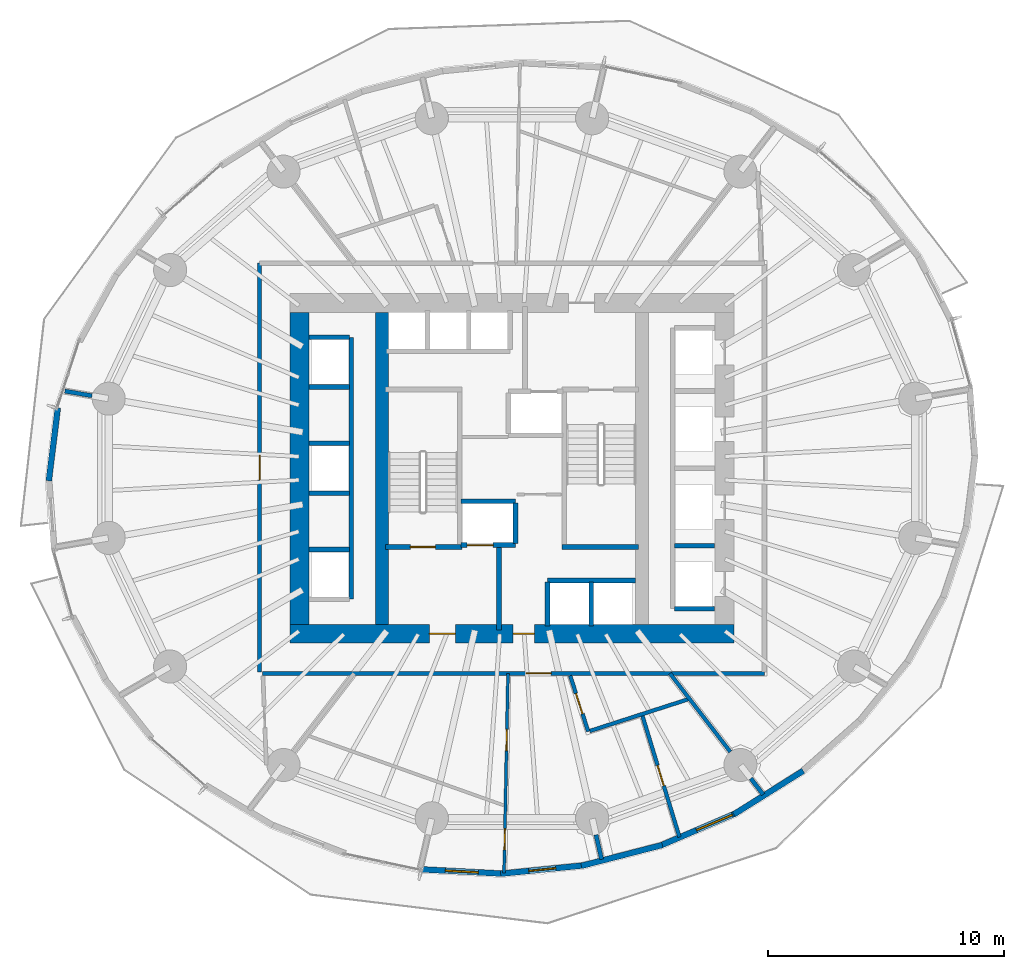
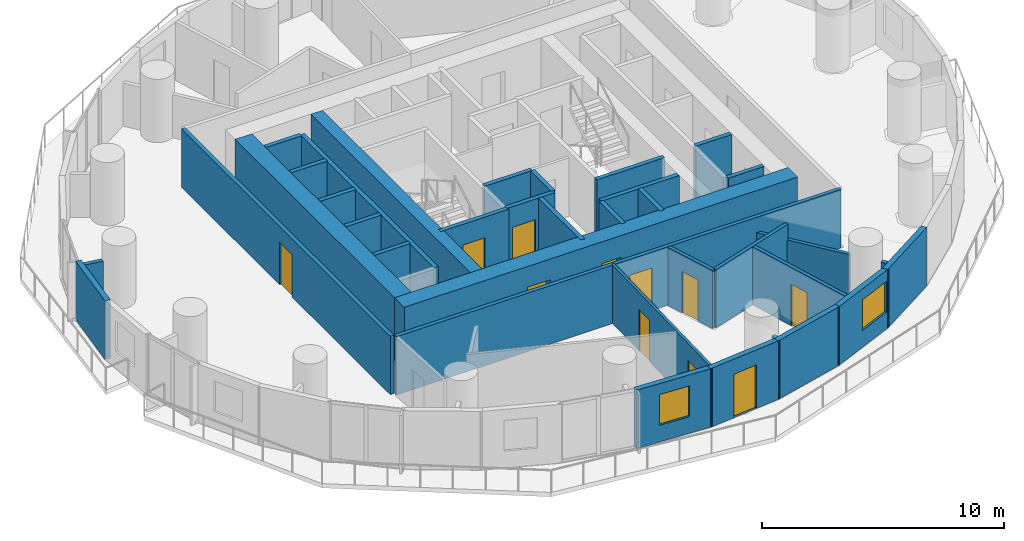
# One storey, part 7 of 13: 36 walls, 11 doors, 2 windows, 13 openings.
"""IFC4 building model written with IfcOpenShell, lengths in metres."""

import ifcopenshell
import ifcopenshell.guid

model = None  # the IFC model being written
_history = None  # IfcOwnerHistory: only IFC2X3 demands one
_inside = {}  # id of a spatial element -> (the spatial element, [elements in it])
_under = {}  # id of a project, library or spatial element -> (it, [spatial elements below it])
_declared = {}  # id of a project -> (the project, [libraries it declares])
_typed = {}  # id of a type object -> (the type object, [elements of that type])
_made_of = {}  # id of a material, layer set ... -> (it, [elements and type objects made of it])


def new_model(schema):
    """Start an empty IFC model of exactly this schema.

    Asked for "IFC4X3", IfcOpenShell would pick the latest addendum, in which some entities
    have other attributes; the version numbers below select the first issue.
    IFC2X3 requires an IfcOwnerHistory on every rooted entity: one is made here for all.
    """
    global model, _history
    if schema == "IFC4X3":
        model = ifcopenshell.file(schema_version=(4, 3, 0, 0))
    else:
        model = ifcopenshell.file(schema=schema)
    _inside.clear()
    _under.clear()
    _declared.clear()
    _typed.clear()
    _made_of.clear()
    _history = None
    if model.schema == "IFC2X3":
        org = make("IfcOrganization", Name="unknown")
        user = make(
            "IfcPersonAndOrganization",
            ThePerson=make("IfcPerson", FamilyName="unknown"),
            TheOrganization=org,
        )
        app = make(
            "IfcApplication",
            ApplicationDeveloper=org,
            Version="unknown",
            ApplicationFullName="unknown",
            ApplicationIdentifier="unknown",
        )
        _history = make(
            "IfcOwnerHistory",
            OwningUser=user,
            OwningApplication=app,
            ChangeAction="ADDED",
            CreationDate=0,
        )
    return model


def make(cls, **values):
    """One entity of the class cls with the attributes given. An attribute that is None is left unset."""
    return model.create_entity(
        cls, **{name: value for name, value in values.items() if value is not None}
    )


def rooted(cls, **values):
    """An entity with a GlobalId (a new one), such as an element, a storey or a relation."""
    return make(cls, GlobalId=ifcopenshell.guid.new(), OwnerHistory=_history, **values)


def si_unit(unit_type, name, prefix=None):
    """IfcSIUnit, for example si_unit("LENGTHUNIT", "METRE", prefix="MILLI")."""
    return make("IfcSIUnit", UnitType=unit_type, Prefix=prefix, Name=name)


def assignment(units):
    """IfcUnitAssignment: the units of a project."""
    return None if units is None else make("IfcUnitAssignment", Units=units)


def point(xyz):
    """IfcCartesianPoint."""
    return None if xyz is None else make("IfcCartesianPoint", Coordinates=xyz)


def direction(xyz):
    """IfcDirection."""
    return None if xyz is None else make("IfcDirection", DirectionRatios=xyz)


def frame(location, z_axis=None, x_axis=None):
    """IfcAxis2Placement3D, a coordinate frame: its origin and axes. An axis left out is left unset."""
    return make(
        "IfcAxis2Placement3D",
        Location=point(location),
        Axis=direction(z_axis),
        RefDirection=direction(x_axis),
    )


def frame_2d(location, x_axis=None):
    """IfcAxis2Placement2D, a coordinate frame in the plane: its origin and x axis."""
    return make(
        "IfcAxis2Placement2D", Location=point(location), RefDirection=direction(x_axis)
    )


def origin():
    """The frame at (0, 0, 0) with its axes left unset."""
    return frame((0.0, 0.0, 0.0))


def place(relative_to, where):
    """IfcLocalPlacement: puts the frame where relative to a parent placement (None: the world)."""
    return make(
        "IfcLocalPlacement", PlacementRelTo=relative_to, RelativePlacement=where
    )


def context(
    kind, dimensions, precision=None, world=None, true_north=None, identifier=None
):
    """IfcGeometricRepresentationContext, for example the 3D "Model" context."""
    return make(
        "IfcGeometricRepresentationContext",
        ContextIdentifier=identifier,
        ContextType=kind,
        CoordinateSpaceDimension=dimensions,
        Precision=precision,
        WorldCoordinateSystem=world,
        TrueNorth=true_north,
    )


def subcontext(parent, identifier, kind, view, scale=None):
    """IfcGeometricRepresentationSubContext, for example "Body" below "Model"."""
    return make(
        "IfcGeometricRepresentationSubContext",
        ContextIdentifier=identifier,
        ContextType=kind,
        ParentContext=parent,
        TargetScale=scale,
        TargetView=view,
    )


def project(units=None, contexts=None):
    """IfcProject with its units and contexts."""
    return rooted(
        "IfcProject",
        Name="project",
        RepresentationContexts=contexts,
        UnitsInContext=assignment(units),
    )


def spatial(cls, under=None, at=None, **own):
    """A site, building, storey or space (cls), placed at a placement, below another one or the project."""
    s = rooted(cls, ObjectPlacement=at, **own)
    if under is not None:
        _under.setdefault(under.id(), (under, []))[1].append(s)
    return s


def profile(cls, at=None, kind="AREA", **sizes):
    """A parametric profile (cls). Its sizes go by their IFC names, for example OverallWidth=200.0."""
    return make(cls, ProfileType=kind, Position=at, **sizes)


def rectangle(**sizes):
    """IfcRectangleProfileDef."""
    return profile("IfcRectangleProfileDef", **sizes)


def extrude(swept, where, along, depth):
    """IfcExtrudedAreaSolid: the profile swept, set in the frame where, extruded along a direction by depth."""
    return make(
        "IfcExtrudedAreaSolid",
        SweptArea=swept,
        Position=where,
        ExtrudedDirection=direction(along),
        Depth=depth,
    )


def shape(context_of_items, identifier, shape_type, items):
    """IfcShapeRepresentation: the items that make up one representation, for example the "Body"."""
    return make(
        "IfcShapeRepresentation",
        ContextOfItems=context_of_items,
        RepresentationIdentifier=identifier,
        RepresentationType=shape_type,
        Items=items,
    )


def material(Name=None, Category=None):
    """IfcMaterial."""
    return make("IfcMaterial", Name=Name, Category=Category)


def layer(
    of_material, thickness, ventilated=None, Name=None, Category=None, Priority=None
):
    """IfcMaterialLayer: one layer of a wall or slab, of a material (None: an air gap)."""
    return make(
        "IfcMaterialLayer",
        Material=of_material,
        LayerThickness=thickness,
        IsVentilated=ventilated,
        Name=Name,
        Category=Category,
        Priority=Priority,
    )


def layer_set(layers, Name=None):
    """IfcMaterialLayerSet."""
    return make("IfcMaterialLayerSet", MaterialLayers=layers, LayerSetName=Name)


def made_of(thing, what):
    """Note that an element or type object is made of a material, layer set ...; save() writes the relation."""
    if what is not None:
        _made_of.setdefault(what.id(), (what, []))[1].append(thing)
    return thing


def type_object(cls, material=None, **own):
    """A type object (cls), such as IfcWallType, which elements share."""
    return made_of(rooted(cls, **own), material)


def element(
    cls,
    number,
    at=None,
    inside=None,
    cuts=None,
    type_object=None,
    material=None,
    context=None,
    identifier="Body",
    shape_type=None,
    held_by="IfcProductDefinitionShape",
    body=None,
    shapes=None,
    **own,
):
    """One element of the class cls, such as IfcWall. Its Tag is "e" and its number.

    at: its placement. inside: the storey or other place that contains it. cuts: it is an
    opening in that element (IfcRelVoidsElement). A single representation is given by context,
    identifier, shape_type and body (its items); several are given by shapes. held_by: the class
    of the entity that holds the representations. save() writes the other relations.
    """
    e = rooted(cls, Tag="e%d" % number, ObjectPlacement=at, **own)
    if body is not None:
        shapes = [shape(context, identifier, shape_type, body)]
    if shapes is not None:
        e.Representation = make(held_by, Representations=shapes)
    if inside is not None:
        _inside.setdefault(inside.id(), (inside, []))[1].append(e)
    if cuts is not None:
        rooted(
            "IfcRelVoidsElement", RelatingBuildingElement=cuts, RelatedOpeningElement=e
        )
    if type_object is not None:
        _typed.setdefault(type_object.id(), (type_object, []))[1].append(e)
    return made_of(e, material)


def fill(opening, filler):
    """IfcRelFillsElement: the door or window that sits in an opening."""
    return rooted(
        "IfcRelFillsElement",
        RelatingOpeningElement=opening,
        RelatedBuildingElement=filler,
    )


def aggregate(whole, parts):
    """IfcRelAggregates: a whole, such as a stair, and the parts it consists of."""
    return rooted("IfcRelAggregates", RelatingObject=whole, RelatedObjects=parts)


def save(model, path):
    """Write the relations noted so far, then the file.

    IfcRelAggregates (storeys below a building ...), IfcRelContainedInSpatialStructure (elements
    in a storey), IfcRelDefinesByType, IfcRelAssociatesMaterial and IfcRelDeclares: one each for
    every whole, place, type object, material and project.
    """
    for whole, parts in _under.values():
        aggregate(whole, parts)
    for where, things in _inside.values():
        rooted(
            "IfcRelContainedInSpatialStructure",
            RelatedElements=things,
            RelatingStructure=where,
        )
    for kind, things in _typed.values():
        rooted("IfcRelDefinesByType", RelatedObjects=things, RelatingType=kind)
    for what, things in _made_of.values():
        rooted("IfcRelAssociatesMaterial", RelatedObjects=things, RelatingMaterial=what)
    for by, libraries in _declared.values():
        rooted("IfcRelDeclares", RelatingContext=by, RelatedDefinitions=libraries)
    model.write(path)


model = new_model("IFC4")

# Units and contexts
model_context = context("Model", 3, precision=1e-05, world=origin(), true_north=direction((0.0, 1.0)))
body_context = subcontext(model_context, "Body", "Model", "MODEL_VIEW")
ifc_project = project(units=[si_unit("LENGTHUNIT", "METRE"), si_unit("AREAUNIT", "SQUARE_METRE"), si_unit("VOLUMEUNIT", "CUBIC_METRE"), si_unit("PLANEANGLEUNIT", "RADIAN"), si_unit("MASSUNIT", "GRAM", prefix="KILO")], contexts=[model_context])

# Site, building, storey
site_placement = place(None, origin())
site = spatial("IfcSite", under=ifc_project, at=site_placement, CompositionType="ELEMENT")
building_placement = place(site_placement, origin())
building = spatial("IfcBuilding", under=site, at=building_placement, Name="Veldorim Arch Residences", CompositionType="ELEMENT")
storey_placement = place(building_placement, frame((0.0, 0.0, 47.199951171875)))
storey = spatial("IfcBuildingStorey", under=building, at=storey_placement, Name="L13", CompositionType="ELEMENT", Elevation=47.199951171875)

# Wall, openings, doors
ifc_material_1 = material(Name="Acoustic Gypsum Board", Category="gypsum")
ifc_layer_1 = layer(ifc_material_1, 0.125, Name="Acoustic Stud Room Partition Wall 125")
ifc_layer_set_1 = layer_set([ifc_layer_1], Name="Acoustic Gypsum Board")
wall_type_1 = type_object("IfcWallType", Name="Acoustic Stud Room Partition Wall 125", PredefinedType="PARTITIONING", material=ifc_layer_set_1)
wall_1_placement = place(storey_placement, frame((31.665283203125, 6.870361328125, 0.0), z_axis=(0.0, 0.0, 1.0), x_axis=(0.019528202577, 0.99980930647, 0.0)))
wall_1 = element("IfcWall", 1, at=wall_1_placement, inside=storey, type_object=wall_type_1, Name="L13 interior wall WL-RES-L13-008", PredefinedType="PARTITIONING", context=body_context, shape_type="SweptSolid", body=[
    extrude(rectangle(XDim=8.451416015625, YDim=0.125, at=frame_2d((4.2255859375, 0.0))), origin(), (0.0, 0.0, 1.0), 2.955078125),
])
opening_1_placement = place(wall_1_placement, frame((0.981201171875, 0.0, 0.0)))
opening_1 = element("IfcOpeningElement", 2, at=opening_1_placement, cuts=wall_1, Name="Opening DR-INT", PredefinedType="OPENING", context=body_context, shape_type="SweptSolid", body=[
    extrude(rectangle(XDim=0.89990234375, YDim=2.10009765625, at=frame_2d((0.449951171875, 1.050048828125))), frame((0.0, 0.072509765625, 0.0), z_axis=(0.0, -1.0, 0.0), x_axis=(1.0, 0.0, 0.0)), (0.0, 0.0, 1.0), 0.14501953125),
])
opening_2_placement = place(wall_1_placement, frame((5.186279296875, 0.0, 0.0)))
opening_2 = element("IfcOpeningElement", 3, at=opening_2_placement, cuts=wall_1, Name="Opening DR-INT", PredefinedType="OPENING", context=body_context, shape_type="SweptSolid", body=[
    extrude(rectangle(XDim=0.89990234375, YDim=2.10009765625, at=frame_2d((0.449951171875, 1.050048828125))), frame((0.0, 0.072509765625, 0.0), z_axis=(0.0, -1.0, 0.0), x_axis=(1.0, 0.0, 0.0)), (0.0, 0.0, 1.0), 0.14501953125),
])
ifc_material_2 = material(Name="Engineered Timber", Category="wood")
door_type_1 = type_object("IfcDoorType", Name="Apartment Internal Room Timber Door 900x2100", OperationType="SINGLE_SWING_LEFT", PredefinedType="DOOR", material=ifc_material_2)
door_1_placement = place(opening_1_placement, origin())
door_1 = element("IfcDoor", 4, at=door_1_placement, inside=storey, type_object=door_type_1, Name="L13 interior door DR-RES-L13-003", OperationType="SINGLE_SWING_LEFT", OverallHeight=2.10009765625, OverallWidth=0.89990234375, PredefinedType="DOOR", context=body_context, shape_type="SweptSolid", body=[
    extrude(rectangle(XDim=0.89990234375, YDim=2.10009765625, at=frame_2d((0.449951171875, 1.050048828125))), frame((0.0, 0.02490234375, 0.0), z_axis=(0.0, -1.0, 0.0), x_axis=(1.0, 0.0, 0.0)), (0.0, 0.0, 1.0), 0.050048828125),
])
fill(opening_1, door_1)
door_2_placement = place(opening_2_placement, origin())
door_2 = element("IfcDoor", 5, at=door_2_placement, inside=storey, type_object=door_type_1, Name="L13 interior door DR-RES-L13-004", OperationType="SINGLE_SWING_RIGHT", OverallHeight=2.10009765625, OverallWidth=0.89990234375, PredefinedType="DOOR", context=body_context, shape_type="SweptSolid", body=[
    extrude(rectangle(XDim=0.89990234375, YDim=2.10009765625, at=frame_2d((0.449951171875, 1.050048828125))), frame((0.0, 0.02490234375, 0.0), z_axis=(0.0, -1.0, 0.0), x_axis=(1.0, 0.0, 0.0)), (0.0, 0.0, 1.0), 0.050048828125),
])
fill(opening_2, door_2)

# Walls
ifc_material_3 = material(Name="Lightweight Masonry Block & Gypsum", Category="masonry")
ifc_layer_2 = layer(ifc_material_3, 0.179931640625, Name="Compartment & Corridor Fire-Rated Party Wall 180")
ifc_layer_set_2 = layer_set([ifc_layer_2], Name="Lightweight Masonry Block & Gypsum")
wall_type_2 = type_object("IfcWallType", Name="Compartment & Corridor Fire-Rated Party Wall 180", PredefinedType="PARTITIONING", material=ifc_layer_set_2)
wall_2_placement = place(storey_placement, frame((14.224853515625, 27.068359375, 0.0), z_axis=(0.0, 0.0, 1.0), x_axis=(-0.985428537387, 0.170089969436, 0.0)))
element("IfcWall", 6, at=wall_2_placement, inside=storey, type_object=wall_type_2, Name="L13 interior wall WL-PIER-L13-08", PredefinedType="PARTITIONING", context=body_context, shape_type="SweptSolid", body=[
    extrude(rectangle(XDim=1.1611328125, YDim=0.179931640625, at=frame_2d((0.58056640625, 0.0))), origin(), (0.0, 0.0, 1.0), 2.17822265625),
])
wall_3_placement = place(storey_placement, frame((35.555419921875, 8.48828125, 0.0), z_axis=(0.0, 0.0, 1.0), x_axis=(0.223348866575, -0.974738572028, 0.0)))
element("IfcWall", 7, at=wall_3_placement, inside=storey, type_object=wall_type_2, Name="L13 interior wall WL-PIER-L13-13", PredefinedType="PARTITIONING", context=body_context, shape_type="SweptSolid", body=[
    extrude(rectangle(XDim=1.0625, YDim=0.179931640625, at=frame_2d((0.53125, 0.0))), origin(), (0.0, 0.0, 1.0), 2.17822265625),
])
wall_4_placement = place(storey_placement, frame((42.106201171875, 10.874267578125, 0.0), z_axis=(0.0, 0.0, 1.0), x_axis=(0.610124026743, -0.792305920709, 0.0)))
element("IfcWall", 8, at=wall_4_placement, inside=storey, type_object=wall_type_2, Name="L13 interior wall WL-PIER-L13-14", PredefinedType="PARTITIONING", context=body_context, shape_type="SweptSolid", body=[
    extrude(rectangle(XDim=0.856201171875, YDim=0.179931640625, at=frame_2d((0.42822265625, 0.0))), origin(), (0.0, 0.0, 1.0), 2.17822265625),
])

# Wall, opening, door
wall_5_placement = place(storey_placement, frame((42.679931640625, 15.320068359375, 0.0), z_axis=(0.0, 0.0, 1.0), x_axis=(-1.0, 0.0, 0.0)))
wall_5 = element("IfcWall", 9, at=wall_5_placement, inside=storey, type_object=wall_type_2, Name="L13 interior wall WL-RES-L13-001", PredefinedType="PARTITIONING", context=body_context, shape_type="SweptSolid", body=[
    extrude(rectangle(XDim=21.23876953125, YDim=0.179931640625, at=frame_2d((10.619384765625, 0.0))), origin(), (0.0, 0.0, 1.0), 2.955078125),
])
opening_3_placement = place(wall_5_placement, frame((9.02294921875, 0.0, 0.0)))
opening_3 = element("IfcOpeningElement", 10, at=opening_3_placement, cuts=wall_5, Name="Opening DR-FLT", PredefinedType="OPENING", context=body_context, shape_type="SweptSolid", body=[
    extrude(rectangle(XDim=1.050048828125, YDim=2.14990234375, at=frame_2d((0.52490234375, 1.074951171875))), frame((0.0, 0.099853515625, 0.0), z_axis=(0.0, -1.0, 0.0), x_axis=(1.0, 0.0, 0.0)), (0.0, 0.0, 1.0), 0.199951171875),
])
ifc_material_4 = material(Name="Fire-Rated Timber", Category="wood")
door_type_2 = type_object("IfcDoorType", Name="Apartment Entrance Solid-Core Fire Door 1050x2150", OperationType="SINGLE_SWING_LEFT", PredefinedType="DOOR", material=ifc_material_4)
door_3_placement = place(opening_3_placement, origin())
door_3 = element("IfcDoor", 11, at=door_3_placement, inside=storey, type_object=door_type_2, Name="L13 interior door DR-RES-L13-001", OperationType="SINGLE_SWING_LEFT", OverallHeight=2.14990234375, OverallWidth=1.050048828125, PredefinedType="DOOR", context=body_context, shape_type="SweptSolid", body=[
    extrude(rectangle(XDim=1.050048828125, YDim=2.14990234375, at=frame_2d((0.52490234375, 1.074951171875))), frame((0.0, 0.02490234375, 0.0), z_axis=(0.0, -1.0, 0.0), x_axis=(1.0, 0.0, 0.0)), (0.0, 0.0, 1.0), 0.050048828125),
])
fill(opening_3, door_3)

wall_6_placement = place(storey_placement, frame((21.320068359375, 15.3798828125, 0.0), z_axis=(0.0, 0.0, 1.0), x_axis=(0.0, 1.0, 0.0)))
wall_6 = element("IfcWall", 12, at=wall_6_placement, inside=storey, type_object=wall_type_2, Name="L13 interior wall WL-RES-L13-006", PredefinedType="PARTITIONING", context=body_context, shape_type="SweptSolid", body=[
    extrude(rectangle(XDim=17.300048828125, YDim=0.179931640625, at=frame_2d((8.64990234375, 0.0))), origin(), (0.0, 0.0, 1.0), 2.955078125),
])
opening_4_placement = place(wall_6_placement, frame((8.125, 0.0, 0.0)))
opening_4 = element("IfcOpeningElement", 13, at=opening_4_placement, cuts=wall_6, Name="Opening DR-FLT", PredefinedType="OPENING", context=body_context, shape_type="SweptSolid", body=[
    extrude(rectangle(XDim=1.050048828125, YDim=2.14990234375, at=frame_2d((0.52490234375, 1.074951171875))), frame((0.0, 0.099853515625, 0.0), z_axis=(0.0, -1.0, 0.0), x_axis=(1.0, 0.0, 0.0)), (0.0, 0.0, 1.0), 0.199951171875),
])
door_4_placement = place(opening_4_placement, origin())
door_4 = element("IfcDoor", 14, at=door_4_placement, inside=storey, type_object=door_type_2, Name="L13 interior door DR-RES-L13-013", OperationType="SINGLE_SWING_LEFT", OverallHeight=2.14990234375, OverallWidth=1.050048828125, PredefinedType="DOOR", context=body_context, shape_type="SweptSolid", body=[
    extrude(rectangle(XDim=1.050048828125, YDim=2.14990234375, at=frame_2d((0.52490234375, 1.074951171875))), frame((0.0, 0.02490234375, 0.0), z_axis=(0.0, -1.0, 0.0), x_axis=(1.0, 0.0, 0.0)), (0.0, 0.0, 1.0), 0.050048828125),
])
fill(opening_4, door_4)

ifc_material_5 = material(Name="Concrete C50/60", Category="concrete")
ifc_layer_3 = layer(ifc_material_5, 0.199951171875, Name="Core Stair & Lift Shaft Enclosure Wall 200")
ifc_layer_set_3 = layer_set([ifc_layer_3], Name="Concrete C50/60")
wall_type_3 = type_object("IfcWallType", Name="Core Stair & Lift Shaft Enclosure Wall 200", PredefinedType="SHEAR", material=ifc_layer_set_3)
wall_7_placement = place(storey_placement, frame((26.64990234375, 20.669921875, 0.0), z_axis=(0.0, 0.0, 1.0), x_axis=(1.0, 0.0, 0.0)))
wall_7 = element("IfcWall", 15, at=wall_7_placement, inside=storey, type_object=wall_type_3, Name="L13 shaft wall WL-SHF-L13-ST1-S", PredefinedType="SHEAR", context=body_context, shape_type="SweptSolid", body=[
    extrude(rectangle(XDim=3.239990234375, YDim=0.199951171875, at=frame_2d((1.6201171875, 0.0))), origin(), (0.0, 0.0, 1.0), 3.199951171875),
])
opening_5_placement = place(wall_7_placement, frame((1.054931640625, 0.0, 0.0)))
opening_5 = element("IfcOpeningElement", 16, at=opening_5_placement, cuts=wall_7, Name="Opening DR-ST", PredefinedType="OPENING", context=body_context, shape_type="SweptSolid", body=[
    extrude(rectangle(XDim=1.050048828125, YDim=2.14990234375, at=frame_2d((0.52490234375, 1.074951171875))), frame((0.0, 0.10986328125, 0.0), z_axis=(0.0, -1.0, 0.0), x_axis=(1.0, 0.0, 0.0)), (0.0, 0.0, 1.0), 0.219970703125),
])
ifc_material_6 = material(Name="Fire-Rated Steel", Category="steel")
door_type_3 = type_object("IfcDoorType", Name="Exit Staircase Self-Closing Fire Door 1050x2150", OperationType="SINGLE_SWING_LEFT", PredefinedType="DOOR", material=ifc_material_6)
door_5_placement = place(opening_5_placement, origin())
door_5 = element("IfcDoor", 17, at=door_5_placement, inside=storey, type_object=door_type_3, Name="L13 interior door DR-L13-ST1", OperationType="SINGLE_SWING_LEFT", OverallHeight=2.14990234375, OverallWidth=1.050048828125, PredefinedType="DOOR", context=body_context, shape_type="SweptSolid", body=[
    extrude(rectangle(XDim=1.050048828125, YDim=2.14990234375, at=frame_2d((0.52490234375, 1.074951171875))), frame((0.0, 0.02490234375, 0.0), z_axis=(0.0, -1.0, 0.0), x_axis=(1.0, 0.0, 0.0)), (0.0, 0.0, 1.0), 0.050048828125),
])
fill(opening_5, door_5)

# Walls
wall_8_placement = place(storey_placement, frame((34.110107421875, 20.669921875, 0.0), z_axis=(0.0, 0.0, 1.0), x_axis=(1.0, 0.0, 0.0)))
element("IfcWall", 18, at=wall_8_placement, inside=storey, type_object=wall_type_3, Name="L13 shaft wall WL-SHF-L13-ST2-S", PredefinedType="SHEAR", context=body_context, shape_type="SweptSolid", body=[
    extrude(rectangle(XDim=3.239990234375, YDim=0.199951171875, at=frame_2d((1.6201171875, 0.0))), origin(), (0.0, 0.0, 1.0), 3.199951171875),
])
wall_9_placement = place(storey_placement, frame((31.449951171875, 17.14990234375, 0.0), z_axis=(0.0, 0.0, 1.0), x_axis=(0.0, 1.0, 0.0)))
element("IfcWall", 19, at=wall_9_placement, inside=storey, type_object=wall_type_3, Name="L13 shaft wall WL-FFL1-L13-E", PredefinedType="SHEAR", context=body_context, shape_type="SweptSolid", body=[
    extrude(rectangle(XDim=3.5, YDim=0.199951171875, at=frame_2d((1.75, 0.0))), origin(), (0.0, 0.0, 1.0), 3.199951171875),
])

# Wall, opening, door
wall_10_placement = place(storey_placement, frame((29.85009765625, 20.75, 0.0), z_axis=(0.0, 0.0, 1.0), x_axis=(1.0, 0.0, 0.0)))
wall_10 = element("IfcWall", 20, at=wall_10_placement, inside=storey, type_object=wall_type_3, Name="L13 shaft wall WL-FL01-L13-S", PredefinedType="SHEAR", context=body_context, shape_type="SweptSolid", body=[
    extrude(rectangle(XDim=2.2998046875, YDim=0.199951171875, at=frame_2d((1.14990234375, 0.0))), origin(), (0.0, 0.0, 1.0), 3.199951171875),
])
opening_6_placement = place(wall_10_placement, frame((0.25, 0.0, 0.0)))
opening_6 = element("IfcOpeningElement", 21, at=opening_6_placement, cuts=wall_10, Name="Opening LD-FF", PredefinedType="OPENING", context=body_context, shape_type="SweptSolid", body=[
    extrude(rectangle(XDim=1.10009765625, YDim=2.14990234375, at=frame_2d((0.550048828125, 1.074951171875))), frame((0.0, 0.10986328125, 0.0), z_axis=(0.0, -1.0, 0.0), x_axis=(1.0, 0.0, 0.0)), (0.0, 0.0, 1.0), 0.219970703125),
])
ifc_material_7 = material(Name="Stainless Steel", Category="steel")
door_type_4 = type_object("IfcDoorType", Name="Firefighting Lift Bi-Parting Sliding Landing Door 1100x2150", OperationType="DOUBLE_DOOR_SLIDING", PredefinedType="DOOR", material=ifc_material_7)
door_6_placement = place(opening_6_placement, origin())
door_6 = element("IfcDoor", 22, at=door_6_placement, inside=storey, type_object=door_type_4, Name="L13 lift landing door LD-L13-FL01", OperationType="DOUBLE_DOOR_SLIDING", OverallHeight=2.14990234375, OverallWidth=1.10009765625, PredefinedType="DOOR", context=body_context, shape_type="SweptSolid", body=[
    extrude(rectangle(XDim=1.10009765625, YDim=2.14990234375, at=frame_2d((0.550048828125, 1.074951171875))), frame((0.0, 0.02490234375, 0.0), z_axis=(0.0, -1.0, 0.0), x_axis=(1.0, 0.0, 0.0)), (0.0, 0.0, 1.0), 0.050048828125),
])
fill(opening_6, door_6)

# Walls
wall_11_placement = place(storey_placement, frame((29.85009765625, 22.60009765625, 0.0), z_axis=(0.0, 0.0, 1.0), x_axis=(1.0, 0.0, 0.0)))
element("IfcWall", 23, at=wall_11_placement, inside=storey, type_object=wall_type_3, Name="L13 shaft wall WL-FL01-L13-N", PredefinedType="SHEAR", context=body_context, shape_type="SweptSolid", body=[
    extrude(rectangle(XDim=2.2998046875, YDim=0.199951171875, at=frame_2d((1.14990234375, 0.0))), origin(), (0.0, 0.0, 1.0), 3.199951171875),
])
for number, where, z_axis, x_axis, name in (
    (24, (32.14990234375, 20.820068359375, 0.0), (0.0, 0.0, 1.0), (0.0, 1.0, 0.0), "L13 shaft wall WL-FL01-L13-E"),
    (25, (38.8701171875, 18.06005859375, 0.0), (0.0, 0.0, 1.0), (1.0, 0.0, 0.0), "L13 shaft wall WL-B1-L13-S"),
    (26, (38.8701171875, 20.72509765625, 0.0), (0.0, 0.0, 1.0), (1.0, 0.0, 0.0), "L13 shaft wall WL-B1-L13-D1"),
):
    element("IfcWall", number, at=place(storey_placement, frame(where, z_axis=z_axis, x_axis=x_axis)), inside=storey, type_object=wall_type_3, Name=name, PredefinedType="SHEAR", context=body_context, shape_type="SweptSolid", body=[
        extrude(rectangle(XDim=1.7099609375, YDim=0.199951171875, at=frame_2d((0.85498046875, 0.0))), origin(), (0.0, 0.0, 1.0), 3.199951171875),
    ])
wall_12_placement = place(storey_placement, frame((25.199951171875, 18.4599609375, 0.0), z_axis=(0.0, 0.0, 1.0), x_axis=(0.0, 1.0, 0.0)))
element("IfcWall", 27, at=wall_12_placement, inside=storey, type_object=wall_type_3, Name="L13 shaft wall WL-B2-L13-E", PredefinedType="SHEAR", context=body_context, shape_type="SweptSolid", body=[
    extrude(rectangle(XDim=11.080078125, YDim=0.199951171875, at=frame_2d((5.5400390625, 0.0))), origin(), (0.0, 0.0, 1.0), 3.199951171875),
])
for number, where, z_axis, x_axis, name in (
    (28, (23.419921875, 29.5400390625, 0.0), (0.0, 0.0, 1.0), (1.0, 0.0, 0.0), "L13 shaft wall WL-B2-L13-N"),
    (29, (23.419921875, 20.56005859375, 0.0), (0.0, 0.0, 1.0), (1.0, 0.0, 0.0), "L13 shaft wall WL-B2-L13-D1A"),
    (30, (23.419921875, 22.93994140625, 0.0), (0.0, 0.0, 1.0), (1.0, 0.0, 0.0), "L13 shaft wall WL-B2-L13-D1B"),
    (31, (23.419921875, 25.06005859375, 0.0), (0.0, 0.0, 1.0), (1.0, 0.0, 0.0), "L13 shaft wall WL-B2-L13-D2A"),
    (32, (23.419921875, 27.43994140625, 0.0), (0.0, 0.0, 1.0), (1.0, 0.0, 0.0), "L13 shaft wall WL-B2-L13-D2B"),
):
    element("IfcWall", number, at=place(storey_placement, frame(where, z_axis=z_axis, x_axis=x_axis)), inside=storey, type_object=wall_type_3, Name=name, PredefinedType="SHEAR", context=body_context, shape_type="SweptSolid", body=[
        extrude(rectangle(XDim=1.7099609375, YDim=0.199951171875, at=frame_2d((0.85498046875, 0.0))), origin(), (0.0, 0.0, 1.0), 3.199951171875),
    ])
wall_13_placement = place(storey_placement, frame((33.5, 19.25, 0.0), z_axis=(0.0, 0.0, 1.0), x_axis=(1.0, 0.0, 0.0)))
element("IfcWall", 33, at=wall_13_placement, inside=storey, type_object=wall_type_3, Name="L13 shaft wall WL-OL-L13-N", PredefinedType="SHEAR", context=body_context, shape_type="SweptSolid", body=[
    extrude(rectangle(XDim=3.719970703125, YDim=0.199951171875, at=frame_2d((1.85986328125, 0.0))), origin(), (0.0, 0.0, 1.0), 3.199951171875),
])
for number, where, z_axis, x_axis, name in (
    (34, (33.5, 17.320068359375, 0.0), (0.0, 0.0, 1.0), (0.0, 1.0, 0.0), "L13 shaft wall WL-OL-L13-W"),
    (35, (35.35009765625, 17.320068359375, 0.0), (0.0, 0.0, 1.0), (0.0, 1.0, 0.0), "L13 shaft wall WL-OL-L13-D1"),
):
    element("IfcWall", number, at=place(storey_placement, frame(where, z_axis=z_axis, x_axis=x_axis)), inside=storey, type_object=wall_type_3, Name=name, PredefinedType="SHEAR", context=body_context, shape_type="SweptSolid", body=[
        extrude(rectangle(XDim=1.85986328125, YDim=0.199951171875, at=frame_2d((0.929931640625, 0.0))), origin(), (0.0, 0.0, 1.0), 3.199951171875),
    ])
ifc_material_8 = material(Name="Concrete C60/75", Category="concrete")
ifc_layer_4 = layer(ifc_material_8, 0.56005859375, Name="Internal Core Shear Web Wall 560")
ifc_layer_set_4 = layer_set([ifc_layer_4], Name="Concrete C60/75")
wall_type_4 = type_object("IfcWallType", Name="Internal Core Shear Web Wall 560", PredefinedType="SHEAR", material=ifc_layer_set_4)
wall_14_placement = place(storey_placement, frame((26.5, 17.39990234375, 0.0), z_axis=(0.0, 0.0, 1.0), x_axis=(0.0, 1.0, 0.0)))
element("IfcWall", 36, at=wall_14_placement, inside=storey, type_object=wall_type_4, Name="L13 core west internal shear web", PredefinedType="SHEAR", context=body_context, shape_type="SweptSolid", body=[
    extrude(rectangle(XDim=13.2001953125, YDim=0.56005859375, at=frame_2d((6.60009765625, 0.0))), origin(), (0.0, 0.0, 1.0), 3.199951171875),
])

# Wall, openings, doors
ifc_material_9 = material(Name="Concrete C60/75", Category="concrete")
ifc_layer_5 = layer(ifc_material_9, 0.800048828125, Name="Lower Central Core Shear Wall 800")
ifc_layer_set_5 = layer_set([ifc_layer_5], Name="Concrete C60/75")
wall_type_5 = type_object("IfcWallType", Name="Lower Central Core Shear Wall 800", PredefinedType="SHEAR", material=ifc_layer_set_5)
wall_15_placement = place(storey_placement, frame((22.60009765625, 17.0, 0.0), z_axis=(0.0, 0.0, 1.0), x_axis=(1.0, 0.0, 0.0)))
wall_15 = element("IfcWall", 37, at=wall_15_placement, inside=storey, type_object=wall_type_5, Name="L13 central core south shear wall", PredefinedType="SHEAR", context=body_context, shape_type="SweptSolid", body=[
    extrude(rectangle(XDim=18.7998046875, YDim=0.800048828125, at=frame_2d((9.39990234375, 0.0))), origin(), (0.0, 0.0, 1.0), 3.199951171875),
])
opening_7_placement = place(wall_15_placement, frame((5.89990234375, 0.0, 0.0)))
opening_7 = element("IfcOpeningElement", 38, at=opening_7_placement, cuts=wall_15, Name="Opening DR-FFL", PredefinedType="OPENING", context=body_context, shape_type="SweptSolid", body=[
    extrude(rectangle(XDim=1.10009765625, YDim=2.14990234375, at=frame_2d((0.550048828125, 1.074951171875))), frame((0.0, 0.409912109375, 0.0), z_axis=(0.0, -1.0, 0.0), x_axis=(1.0, 0.0, 0.0)), (0.0, 0.0, 1.0), 0.820068359375),
])
opening_8_placement = place(wall_15_placement, frame((9.449951171875, 0.0, 0.0)))
opening_8 = element("IfcOpeningElement", 39, at=opening_8_placement, cuts=wall_15, Name="Opening DR-SVC", PredefinedType="OPENING", context=body_context, shape_type="SweptSolid", body=[
    extrude(rectangle(XDim=0.89990234375, YDim=2.10009765625, at=frame_2d((0.449951171875, 1.050048828125))), frame((0.0, 0.409912109375, 0.0), z_axis=(0.0, -1.0, 0.0), x_axis=(1.0, 0.0, 0.0)), (0.0, 0.0, 1.0), 0.820068359375),
])
ifc_material_10 = material(Name="Fire-Rated Steel & Vision Glass", Category="steel")
door_type_5 = type_object("IfcDoorType", Name="Firefighting Lobby Smoke-Stop Fire Door 1100x2150", OperationType="SINGLE_SWING_LEFT", PredefinedType="DOOR", material=ifc_material_10)
door_7_placement = place(opening_7_placement, origin())
door_7 = element("IfcDoor", 40, at=door_7_placement, inside=storey, type_object=door_type_5, Name="L13 interior door DR-L13-FFL1", OperationType="SINGLE_SWING_RIGHT", OverallHeight=2.14990234375, OverallWidth=1.10009765625, PredefinedType="DOOR", context=body_context, shape_type="SweptSolid", body=[
    extrude(rectangle(XDim=1.10009765625, YDim=2.14990234375, at=frame_2d((0.550048828125, 1.074951171875))), frame((0.0, 0.02490234375, 0.0), z_axis=(0.0, -1.0, 0.0), x_axis=(1.0, 0.0, 0.0)), (0.0, 0.0, 1.0), 0.050048828125),
])
fill(opening_7, door_7)
ifc_material_11 = material(Name="Fire-Rated Steel", Category="steel")
door_type_6 = type_object("IfcDoorType", Name="Riser, Shelter & Plant Room Rated Steel Door 900x2100", OperationType="SINGLE_SWING_LEFT", PredefinedType="DOOR", material=ifc_material_11)
door_8_placement = place(opening_8_placement, origin())
door_8 = element("IfcDoor", 41, at=door_8_placement, inside=storey, type_object=door_type_6, Name="L13 interior door DR-L13-COR-ANC", OperationType="SINGLE_SWING_LEFT", OverallHeight=2.10009765625, OverallWidth=0.89990234375, PredefinedType="DOOR", context=body_context, shape_type="SweptSolid", body=[
    extrude(rectangle(XDim=0.89990234375, YDim=2.10009765625, at=frame_2d((0.449951171875, 1.050048828125))), frame((0.0, 0.02490234375, 0.0), z_axis=(0.0, -1.0, 0.0), x_axis=(1.0, 0.0, 0.0)), (0.0, 0.0, 1.0), 0.050048828125),
])
fill(opening_8, door_8)

# Walls
wall_16_placement = place(storey_placement, frame((23.0, 17.39990234375, 0.0), z_axis=(0.0, 0.0, 1.0), x_axis=(0.0, 1.0, 0.0)))
element("IfcWall", 42, at=wall_16_placement, inside=storey, type_object=wall_type_5, Name="L13 central core west shear wall", PredefinedType="SHEAR", context=body_context, shape_type="SweptSolid", body=[
    extrude(rectangle(XDim=13.2001953125, YDim=0.800048828125, at=frame_2d((6.60009765625, 0.0))), origin(), (0.0, 0.0, 1.0), 3.199951171875),
])
ifc_material_12 = material(Name="Precast concrete C40/50", Category="concrete")
ifc_layer_6 = layer(ifc_material_12, 0.25, Name="Tower Terracotta Spandrel & Pier Wall 250")
ifc_layer_set_6 = layer_set([ifc_layer_6], Name="Precast concrete C40/50")
wall_type_6 = type_object("IfcWallType", Name="Tower Terracotta Spandrel & Pier Wall 250", PredefinedType="SOLIDWALL", material=ifc_layer_set_6)
wall_17_placement = place(storey_placement, frame((12.3974609375, 23.4677734375, 0.0), z_axis=(0.0, 0.0, 1.0), x_axis=(0.122985115192, 0.992408515401, 0.0)))
element("IfcWall", 43, at=wall_17_placement, inside=storey, type_object=wall_type_6, Name="L13 terracotta facade wall 17", PredefinedType="SOLIDWALL", context=body_context, shape_type="SweptSolid", body=[
    extrude(rectangle(XDim=3.12060546875, YDim=0.25, at=frame_2d((1.560302734375, 0.0))), origin(), (0.0, 0.0, 1.0), 2.9599609375),
])

# Wall, opening, window
wall_18_placement = place(storey_placement, frame((31.631103515625, 6.843505859375, 0.0), z_axis=(0.0, 0.0, 1.0), x_axis=(-0.99860782827, 0.052748510102, 0.0)))
wall_18 = element("IfcWall", 44, at=wall_18_placement, inside=storey, type_object=wall_type_6, Name="L13 terracotta facade wall 26", PredefinedType="SOLIDWALL", context=body_context, shape_type="SweptSolid", body=[
    extrude(rectangle(XDim=3.512939453125, YDim=0.25, at=frame_2d((1.75634765625, 0.0))), origin(), (0.0, 0.0, 1.0), 2.9599609375),
])
opening_9_placement = place(wall_18_placement, frame((1.055908203125, 0.0, 0.85009765625)))
opening_9 = element("IfcOpeningElement", 45, at=opening_9_placement, cuts=wall_18, Name="Opening WN-02", PredefinedType="OPENING", context=body_context, shape_type="SweptSolid", body=[
    extrude(rectangle(XDim=1.39990234375, YDim=1.550048828125, at=frame_2d((0.699951171875, 0.77490234375))), frame((0.0, 0.135009765625, 0.0), z_axis=(0.0, -1.0, 0.0), x_axis=(1.0, 0.0, 0.0)), (0.0, 0.0, 1.0), 0.27001953125),
])
ifc_material_13 = material(Name="Laminated Low-E Glass", Category="glass")
window_type_1 = type_object("IfcWindowType", Name="Residential Casement Window 1400x1550", PartitioningType="SINGLE_PANEL", PredefinedType="WINDOW", material=ifc_material_13)
window_1_placement = place(opening_9_placement, origin())
window_1 = element("IfcWindow", 46, at=window_1_placement, inside=storey, type_object=window_type_1, Name="L13 solar-control facade window 26", OverallHeight=1.550048828125, OverallWidth=1.39990234375, PartitioningType="SINGLE_PANEL", PredefinedType="WINDOW", context=body_context, shape_type="SweptSolid", body=[
    extrude(rectangle(XDim=1.39990234375, YDim=1.550048828125, at=frame_2d((0.699951171875, 0.77490234375))), frame((0.0, 0.030029296875, 0.0), z_axis=(0.0, -1.0, 0.0), x_axis=(1.0, 0.0, 0.0)), (0.0, 0.0, 1.0), 0.06005859375),
])
fill(opening_9, window_1)

# Wall, opening, door
wall_19_placement = place(storey_placement, frame((35.042724609375, 7.1943359375, 0.0), z_axis=(0.0, 0.0, 1.0), x_axis=(-0.994996115016, -0.099913618207, 0.0)))
wall_19 = element("IfcWall", 47, at=wall_19_placement, inside=storey, type_object=wall_type_6, Name="L13 terracotta facade wall 27", PredefinedType="SOLIDWALL", context=body_context, shape_type="SweptSolid", body=[
    extrude(rectangle(XDim=3.538330078125, YDim=0.25, at=frame_2d((1.76904296875, 0.0))), origin(), (0.0, 0.0, 1.0), 2.9599609375),
])
opening_10_placement = place(wall_19_placement, frame((1.194091796875, 0.0, 0.0)))
opening_10 = element("IfcOpeningElement", 48, at=opening_10_placement, cuts=wall_19, Name="Opening BL-DR", PredefinedType="OPENING", context=body_context, shape_type="SweptSolid", body=[
    extrude(rectangle(XDim=1.14990234375, YDim=2.199951171875, at=frame_2d((0.574951171875, 1.10009765625))), frame((0.0, 0.135009765625, 0.0), z_axis=(0.0, -1.0, 0.0), x_axis=(1.0, 0.0, 0.0)), (0.0, 0.0, 1.0), 0.27001953125),
])
ifc_material_14 = material(Name="Aluminium & Low-E Glass", Category="aluminium")
door_type_7 = type_object("IfcDoorType", Name="Glazed Planted Balcony Door 1150x2200", OperationType="SINGLE_SWING_LEFT", PredefinedType="DOOR", material=ifc_material_14)
door_9_placement = place(opening_10_placement, origin())
door_9 = element("IfcDoor", 49, at=door_9_placement, inside=storey, type_object=door_type_7, Name="L13 glazed outdoor terrace door BALC-2", OperationType="SINGLE_SWING_LEFT", OverallHeight=2.199951171875, OverallWidth=1.14990234375, PredefinedType="DOOR", context=body_context, shape_type="SweptSolid", body=[
    extrude(rectangle(XDim=1.14990234375, YDim=2.199951171875, at=frame_2d((0.574951171875, 1.10009765625))), frame((0.0, 0.02490234375, 0.0), z_axis=(0.0, -1.0, 0.0), x_axis=(1.0, 0.0, 0.0)), (0.0, 0.0, 1.0), 0.050048828125),
])
fill(opening_10, door_9)

# Wall
wall_20_placement = place(storey_placement, frame((38.3623046875, 8.056884765625, 0.0), z_axis=(0.0, 0.0, 1.0), x_axis=(-0.968459637573, -0.249170484594, 0.0)))
element("IfcWall", 50, at=wall_20_placement, inside=storey, type_object=wall_type_6, Name="L13 terracotta facade wall 28", PredefinedType="SOLIDWALL", context=body_context, shape_type="SweptSolid", body=[
    extrude(rectangle(XDim=3.5380859375, YDim=0.25, at=frame_2d((1.76904296875, 0.0))), origin(), (0.0, 0.0, 1.0), 2.9599609375),
])

# Wall, opening, window
wall_21_placement = place(storey_placement, frame((41.488525390625, 9.404541015625, 0.0), z_axis=(0.0, 0.0, 1.0), x_axis=(-0.919263615987, -0.393642482872, 0.0)))
wall_21 = element("IfcWall", 51, at=wall_21_placement, inside=storey, type_object=wall_type_6, Name="L13 terracotta facade wall 29", PredefinedType="SOLIDWALL", context=body_context, shape_type="SweptSolid", body=[
    extrude(rectangle(XDim=3.512939453125, YDim=0.25, at=frame_2d((1.75634765625, 0.0))), origin(), (0.0, 0.0, 1.0), 2.9599609375),
])
opening_11_placement = place(wall_21_placement, frame((0.175048828125, 0.0, 0.85009765625)))
opening_11 = element("IfcOpeningElement", 52, at=opening_11_placement, cuts=wall_21, Name="Opening WN-03", PredefinedType="OPENING", context=body_context, shape_type="SweptSolid", body=[
    extrude(rectangle(XDim=1.64990234375, YDim=1.550048828125, at=frame_2d((0.824951171875, 0.77490234375))), frame((0.0, 0.135009765625, 0.0), z_axis=(0.0, -1.0, 0.0), x_axis=(1.0, 0.0, 0.0)), (0.0, 0.0, 1.0), 0.27001953125),
])
ifc_material_15 = material(Name="Laminated Low-E Glass", Category="glass")
window_type_2 = type_object("IfcWindowType", Name="Residential Wide Window 1650x1550", PartitioningType="SINGLE_PANEL", PredefinedType="WINDOW", material=ifc_material_15)
window_2_placement = place(opening_11_placement, origin())
window_2 = element("IfcWindow", 53, at=window_2_placement, inside=storey, type_object=window_type_2, Name="L13 solar-control facade window 29", OverallHeight=1.550048828125, OverallWidth=1.64990234375, PartitioningType="SINGLE_PANEL", PredefinedType="WINDOW", context=body_context, shape_type="SweptSolid", body=[
    extrude(rectangle(XDim=1.64990234375, YDim=1.550048828125, at=frame_2d((0.824951171875, 0.77490234375))), frame((0.0, 0.030029296875, 0.0), z_axis=(0.0, -1.0, 0.0), x_axis=(1.0, 0.0, 0.0)), (0.0, 0.0, 1.0), 0.06005859375),
])
fill(opening_11, window_2)

# Wall
wall_22_placement = place(storey_placement, frame((44.325927734375, 11.19677734375, 0.0), z_axis=(0.0, 0.0, 1.0), x_axis=(-0.846852351865, -0.531828068215, 0.0)))
element("IfcWall", 54, at=wall_22_placement, inside=storey, type_object=wall_type_6, Name="L13 terracotta facade wall 30", PredefinedType="SOLIDWALL", context=body_context, shape_type="SweptSolid", body=[
    extrude(rectangle(XDim=3.465087890625, YDim=0.25, at=frame_2d((1.732421875, 0.0))), origin(), (0.0, 0.0, 1.0), 2.9599609375),
])

# Wall, opening, door
ifc_material_16 = material(Name="Moisture-Resistant Gypsum & Stud", Category="gypsum")
ifc_layer_7 = layer(ifc_material_16, 0.159912109375, Name="Wet-Area Moisture-Resistant Plumbing Wall 160")
ifc_layer_set_7 = layer_set([ifc_layer_7], Name="Moisture-Resistant Gypsum & Stud")
wall_type_7 = type_object("IfcWallType", Name="Wet-Area Moisture-Resistant Plumbing Wall 160", PredefinedType="PLUMBINGWALL", material=ifc_layer_set_7)
wall_23_placement = place(storey_placement, frame((37.49951171875, 13.593994140625, 0.0), z_axis=(0.0, 0.0, 1.0), x_axis=(0.292167210162, -0.956367252318, 0.0)))
wall_23 = element("IfcWall", 55, at=wall_23_placement, inside=storey, type_object=wall_type_7, Name="L13 interior wall WL-RES-L13-007", PredefinedType="PLUMBINGWALL", context=body_context, shape_type="SweptSolid", body=[
    extrude(rectangle(XDim=5.438232421875, YDim=0.159912109375, at=frame_2d((2.71923828125, 0.0))), origin(), (0.0, 0.0, 1.0), 2.955078125),
])
opening_12_placement = place(wall_23_placement, frame((2.26904296875, 0.0, 0.0)))
opening_12 = element("IfcOpeningElement", 56, at=opening_12_placement, cuts=wall_23, Name="Opening DR-WC", PredefinedType="OPENING", context=body_context, shape_type="SweptSolid", body=[
    extrude(rectangle(XDim=0.89990234375, YDim=2.10009765625, at=frame_2d((0.449951171875, 1.050048828125))), frame((0.0, 0.08984375, 0.0), z_axis=(0.0, -1.0, 0.0), x_axis=(1.0, 0.0, 0.0)), (0.0, 0.0, 1.0), 0.179931640625),
])
ifc_material_17 = material(Name="Laminate Timber", Category="wood")
door_type_8 = type_object("IfcDoorType", Name="Bathroom & Accessible WC Moisture-Sealed Door 900x2100", OperationType="SINGLE_SWING_LEFT", PredefinedType="DOOR", material=ifc_material_17)
door_10_placement = place(opening_12_placement, origin())
door_10 = element("IfcDoor", 57, at=door_10_placement, inside=storey, type_object=door_type_8, Name="L13 interior door DR-RES-L13-002", OperationType="SINGLE_SWING_RIGHT", OverallHeight=2.10009765625, OverallWidth=0.89990234375, PredefinedType="DOOR", context=body_context, shape_type="SweptSolid", body=[
    extrude(rectangle(XDim=0.89990234375, YDim=2.10009765625, at=frame_2d((0.449951171875, 1.050048828125))), frame((0.0, 0.02490234375, 0.0), z_axis=(0.0, -1.0, 0.0), x_axis=(1.0, 0.0, 0.0)), (0.0, 0.0, 1.0), 0.050048828125),
])
fill(opening_12, door_10)

wall_24_placement = place(storey_placement, frame((34.46337890625, 15.224853515625, 0.0), z_axis=(0.0, 0.0, 1.0), x_axis=(0.307163549255, -0.951656741693, 0.0)))
wall_24 = element("IfcWall", 58, at=wall_24_placement, inside=storey, type_object=wall_type_7, Name="L13 interior wall WL-RES-L13-009", PredefinedType="PLUMBINGWALL", context=body_context, shape_type="SweptSolid", body=[
    extrude(rectangle(XDim=2.484619140625, YDim=0.159912109375, at=frame_2d((1.2421875, 0.0))), origin(), (0.0, 0.0, 1.0), 2.955078125),
])
opening_13_placement = place(wall_24_placement, frame((0.792236328125, 0.0, 0.0)))
opening_13 = element("IfcOpeningElement", 59, at=opening_13_placement, cuts=wall_24, Name="Opening DR-INT", PredefinedType="OPENING", context=body_context, shape_type="SweptSolid", body=[
    extrude(rectangle(XDim=0.89990234375, YDim=2.10009765625, at=frame_2d((0.449951171875, 1.050048828125))), frame((0.0, 0.08984375, 0.0), z_axis=(0.0, -1.0, 0.0), x_axis=(1.0, 0.0, 0.0)), (0.0, 0.0, 1.0), 0.179931640625),
])
door_11_placement = place(opening_13_placement, origin())
door_11 = element("IfcDoor", 60, at=door_11_placement, inside=storey, type_object=door_type_1, Name="L13 interior door DR-RES-L13-005", OperationType="SINGLE_SWING_LEFT", OverallHeight=2.10009765625, OverallWidth=0.89990234375, PredefinedType="DOOR", context=body_context, shape_type="SweptSolid", body=[
    extrude(rectangle(XDim=0.89990234375, YDim=2.10009765625, at=frame_2d((0.449951171875, 1.050048828125))), frame((0.0, 0.02490234375, 0.0), z_axis=(0.0, -1.0, 0.0), x_axis=(1.0, 0.0, 0.0)), (0.0, 0.0, 1.0), 0.050048828125),
])
fill(opening_13, door_11)

# Walls
wall_25_placement = place(storey_placement, frame((35.28369140625, 12.878662109375, 0.0), z_axis=(0.0, 0.0, 1.0), x_axis=(0.951640751353, 0.307213086253, 0.0)))
element("IfcWall", 61, at=wall_25_placement, inside=storey, type_object=wall_type_7, Name="L13 interior wall WL-RES-L13-010", PredefinedType="PLUMBINGWALL", context=body_context, shape_type="SweptSolid", body=[
    extrude(rectangle(XDim=4.443115234375, YDim=0.159912109375, at=frame_2d((2.2216796875, 0.0))), origin(), (0.0, 0.0, 1.0), 2.955078125),
])
wall_26_placement = place(storey_placement, frame((38.68310546875, 15.320068359375, 0.0), z_axis=(0.0, 0.0, 1.0), x_axis=(0.610070932863, -0.792346803411, 0.0)))
element("IfcWall", 62, at=wall_26_placement, inside=storey, type_object=wall_type_7, Name="L13 interior wall WL-RES-L13-011", PredefinedType="PLUMBINGWALL", context=body_context, shape_type="SweptSolid", body=[
    extrude(rectangle(XDim=4.1923828125, YDim=0.159912109375, at=frame_2d((2.09619140625, 0.0))), origin(), (0.0, 0.0, 1.0), 2.17822265625),
])

save(model, "model.ifc")
